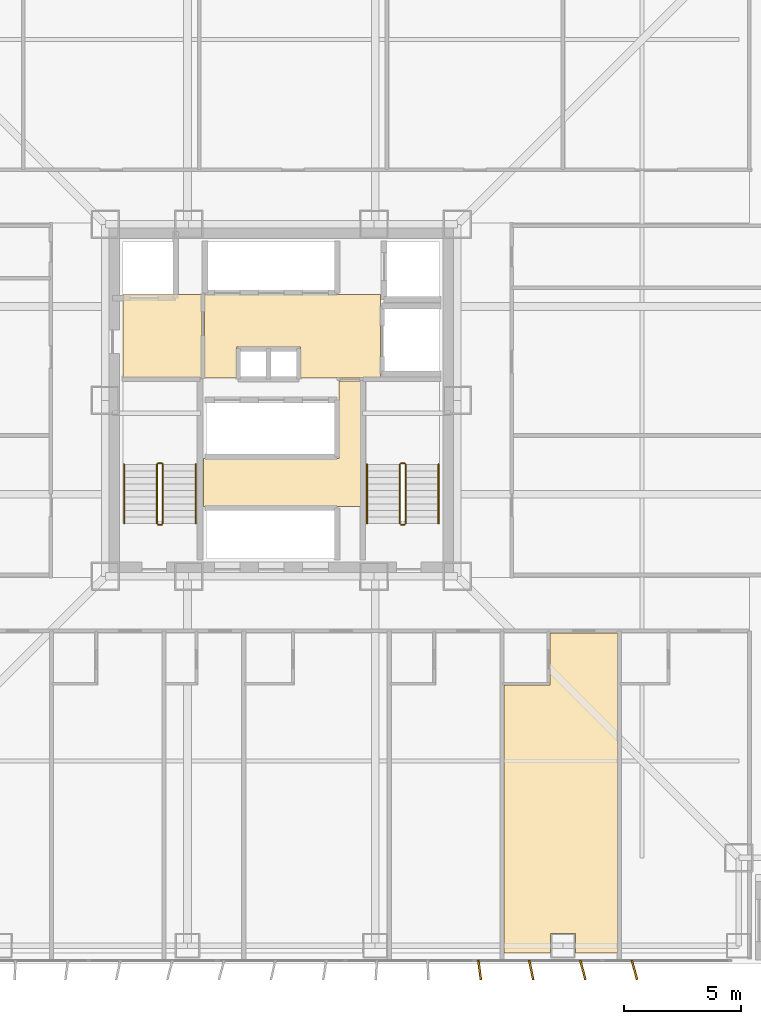
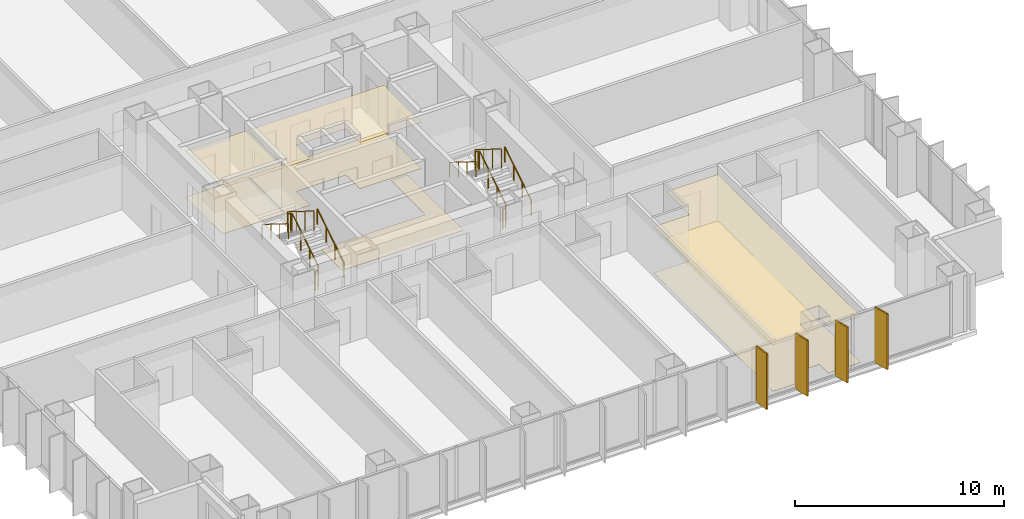
# One storey, part 18 of 19: 12 railings, 7 coverings, 4 shading devices.
"""IFC4 building model written with IfcOpenShell, lengths in metres."""

import ifcopenshell
import ifcopenshell.guid

model = None  # the IFC model being written
_history = None  # IfcOwnerHistory: only IFC2X3 demands one
_inside = {}  # id of a spatial element -> (the spatial element, [elements in it])
_under = {}  # id of a project, library or spatial element -> (it, [spatial elements below it])
_declared = {}  # id of a project -> (the project, [libraries it declares])
_typed = {}  # id of a type object -> (the type object, [elements of that type])
_made_of = {}  # id of a material, layer set ... -> (it, [elements and type objects made of it])


def new_model(schema):
    """Start an empty IFC model of exactly this schema.

    Asked for "IFC4X3", IfcOpenShell would pick the latest addendum, in which some entities
    have other attributes; the version numbers below select the first issue.
    IFC2X3 requires an IfcOwnerHistory on every rooted entity: one is made here for all.
    """
    global model, _history
    if schema == "IFC4X3":
        model = ifcopenshell.file(schema_version=(4, 3, 0, 0))
    else:
        model = ifcopenshell.file(schema=schema)
    _inside.clear()
    _under.clear()
    _declared.clear()
    _typed.clear()
    _made_of.clear()
    _history = None
    if model.schema == "IFC2X3":
        org = make("IfcOrganization", Name="unknown")
        user = make(
            "IfcPersonAndOrganization",
            ThePerson=make("IfcPerson", FamilyName="unknown"),
            TheOrganization=org,
        )
        app = make(
            "IfcApplication",
            ApplicationDeveloper=org,
            Version="unknown",
            ApplicationFullName="unknown",
            ApplicationIdentifier="unknown",
        )
        _history = make(
            "IfcOwnerHistory",
            OwningUser=user,
            OwningApplication=app,
            ChangeAction="ADDED",
            CreationDate=0,
        )
    return model


def make(cls, **values):
    """One entity of the class cls with the attributes given. An attribute that is None is left unset."""
    return model.create_entity(
        cls, **{name: value for name, value in values.items() if value is not None}
    )


def rooted(cls, **values):
    """An entity with a GlobalId (a new one), such as an element, a storey or a relation."""
    return make(cls, GlobalId=ifcopenshell.guid.new(), OwnerHistory=_history, **values)


def si_unit(unit_type, name, prefix=None):
    """IfcSIUnit, for example si_unit("LENGTHUNIT", "METRE", prefix="MILLI")."""
    return make("IfcSIUnit", UnitType=unit_type, Prefix=prefix, Name=name)


def assignment(units):
    """IfcUnitAssignment: the units of a project."""
    return None if units is None else make("IfcUnitAssignment", Units=units)


def point(xyz):
    """IfcCartesianPoint."""
    return None if xyz is None else make("IfcCartesianPoint", Coordinates=xyz)


def direction(xyz):
    """IfcDirection."""
    return None if xyz is None else make("IfcDirection", DirectionRatios=xyz)


def frame(location, z_axis=None, x_axis=None):
    """IfcAxis2Placement3D, a coordinate frame: its origin and axes. An axis left out is left unset."""
    return make(
        "IfcAxis2Placement3D",
        Location=point(location),
        Axis=direction(z_axis),
        RefDirection=direction(x_axis),
    )


def frame_2d(location, x_axis=None):
    """IfcAxis2Placement2D, a coordinate frame in the plane: its origin and x axis."""
    return make(
        "IfcAxis2Placement2D", Location=point(location), RefDirection=direction(x_axis)
    )


def origin():
    """The frame at (0, 0, 0) with its axes left unset."""
    return frame((0.0, 0.0, 0.0))


def origin_2d():
    """The frame at (0, 0) in the plane with its x axis left unset."""
    return frame_2d((0.0, 0.0))


def place(relative_to, where):
    """IfcLocalPlacement: puts the frame where relative to a parent placement (None: the world)."""
    return make(
        "IfcLocalPlacement", PlacementRelTo=relative_to, RelativePlacement=where
    )


def context(
    kind, dimensions, precision=None, world=None, true_north=None, identifier=None
):
    """IfcGeometricRepresentationContext, for example the 3D "Model" context."""
    return make(
        "IfcGeometricRepresentationContext",
        ContextIdentifier=identifier,
        ContextType=kind,
        CoordinateSpaceDimension=dimensions,
        Precision=precision,
        WorldCoordinateSystem=world,
        TrueNorth=true_north,
    )


def subcontext(parent, identifier, kind, view, scale=None):
    """IfcGeometricRepresentationSubContext, for example "Body" below "Model"."""
    return make(
        "IfcGeometricRepresentationSubContext",
        ContextIdentifier=identifier,
        ContextType=kind,
        ParentContext=parent,
        TargetScale=scale,
        TargetView=view,
    )


def project(units=None, contexts=None):
    """IfcProject with its units and contexts."""
    return rooted(
        "IfcProject",
        Name="project",
        RepresentationContexts=contexts,
        UnitsInContext=assignment(units),
    )


def spatial(cls, under=None, at=None, **own):
    """A site, building, storey or space (cls), placed at a placement, below another one or the project."""
    s = rooted(cls, ObjectPlacement=at, **own)
    if under is not None:
        _under.setdefault(under.id(), (under, []))[1].append(s)
    return s


def polyline(points):
    """IfcPolyline through the points."""
    return make("IfcPolyline", Points=[point(p) for p in points])


def profile(cls, at=None, kind="AREA", **sizes):
    """A parametric profile (cls). Its sizes go by their IFC names, for example OverallWidth=200.0."""
    return make(cls, ProfileType=kind, Position=at, **sizes)


def rectangle(**sizes):
    """IfcRectangleProfileDef."""
    return profile("IfcRectangleProfileDef", **sizes)


def circle(**sizes):
    """IfcCircleProfileDef."""
    return profile("IfcCircleProfileDef", **sizes)


def outline(outer, holes=None, kind="AREA"):
    """IfcArbitraryClosedProfileDef: a profile drawn as a closed curve; with holes, ...WithVoids."""
    if holes is None:
        return make("IfcArbitraryClosedProfileDef", ProfileType=kind, OuterCurve=outer)
    return make(
        "IfcArbitraryProfileDefWithVoids",
        ProfileType=kind,
        OuterCurve=outer,
        InnerCurves=holes,
    )


def extrude(swept, where, along, depth):
    """IfcExtrudedAreaSolid: the profile swept, set in the frame where, extruded along a direction by depth."""
    return make(
        "IfcExtrudedAreaSolid",
        SweptArea=swept,
        Position=where,
        ExtrudedDirection=direction(along),
        Depth=depth,
    )


def shape(context_of_items, identifier, shape_type, items):
    """IfcShapeRepresentation: the items that make up one representation, for example the "Body"."""
    return make(
        "IfcShapeRepresentation",
        ContextOfItems=context_of_items,
        RepresentationIdentifier=identifier,
        RepresentationType=shape_type,
        Items=items,
    )


def material(Name=None, Category=None):
    """IfcMaterial."""
    return make("IfcMaterial", Name=Name, Category=Category)


def layer(
    of_material, thickness, ventilated=None, Name=None, Category=None, Priority=None
):
    """IfcMaterialLayer: one layer of a wall or slab, of a material (None: an air gap)."""
    return make(
        "IfcMaterialLayer",
        Material=of_material,
        LayerThickness=thickness,
        IsVentilated=ventilated,
        Name=Name,
        Category=Category,
        Priority=Priority,
    )


def layer_set(layers, Name=None):
    """IfcMaterialLayerSet."""
    return make("IfcMaterialLayerSet", MaterialLayers=layers, LayerSetName=Name)


def made_of(thing, what):
    """Note that an element or type object is made of a material, layer set ...; save() writes the relation."""
    if what is not None:
        _made_of.setdefault(what.id(), (what, []))[1].append(thing)
    return thing


def type_object(cls, material=None, **own):
    """A type object (cls), such as IfcWallType, which elements share."""
    return made_of(rooted(cls, **own), material)


def element(
    cls,
    number,
    at=None,
    inside=None,
    cuts=None,
    type_object=None,
    material=None,
    context=None,
    identifier="Body",
    shape_type=None,
    held_by="IfcProductDefinitionShape",
    body=None,
    shapes=None,
    **own,
):
    """One element of the class cls, such as IfcWall. Its Tag is "e" and its number.

    at: its placement. inside: the storey or other place that contains it. cuts: it is an
    opening in that element (IfcRelVoidsElement). A single representation is given by context,
    identifier, shape_type and body (its items); several are given by shapes. held_by: the class
    of the entity that holds the representations. save() writes the other relations.
    """
    e = rooted(cls, Tag="e%d" % number, ObjectPlacement=at, **own)
    if body is not None:
        shapes = [shape(context, identifier, shape_type, body)]
    if shapes is not None:
        e.Representation = make(held_by, Representations=shapes)
    if inside is not None:
        _inside.setdefault(inside.id(), (inside, []))[1].append(e)
    if cuts is not None:
        rooted(
            "IfcRelVoidsElement", RelatingBuildingElement=cuts, RelatedOpeningElement=e
        )
    if type_object is not None:
        _typed.setdefault(type_object.id(), (type_object, []))[1].append(e)
    return made_of(e, material)


def aggregate(whole, parts):
    """IfcRelAggregates: a whole, such as a stair, and the parts it consists of."""
    return rooted("IfcRelAggregates", RelatingObject=whole, RelatedObjects=parts)


def save(model, path):
    """Write the relations noted so far, then the file.

    IfcRelAggregates (storeys below a building ...), IfcRelContainedInSpatialStructure (elements
    in a storey), IfcRelDefinesByType, IfcRelAssociatesMaterial and IfcRelDeclares: one each for
    every whole, place, type object, material and project.
    """
    for whole, parts in _under.values():
        aggregate(whole, parts)
    for where, things in _inside.values():
        rooted(
            "IfcRelContainedInSpatialStructure",
            RelatedElements=things,
            RelatingStructure=where,
        )
    for kind, things in _typed.values():
        rooted("IfcRelDefinesByType", RelatedObjects=things, RelatingType=kind)
    for what, things in _made_of.values():
        rooted("IfcRelAssociatesMaterial", RelatedObjects=things, RelatingMaterial=what)
    for by, libraries in _declared.values():
        rooted("IfcRelDeclares", RelatingContext=by, RelatedDefinitions=libraries)
    model.write(path)


model = new_model("IFC4")

# Units and contexts
model_context = context("Model", 3, precision=1e-05, world=origin(), true_north=direction((0.0, 1.0)))
body_context = subcontext(model_context, "Body", "Model", "MODEL_VIEW")
ifc_project = project(units=[si_unit("LENGTHUNIT", "METRE"), si_unit("AREAUNIT", "SQUARE_METRE"), si_unit("VOLUMEUNIT", "CUBIC_METRE"), si_unit("PLANEANGLEUNIT", "RADIAN"), si_unit("MASSUNIT", "GRAM", prefix="KILO")], contexts=[model_context])

# Site, building, storey
site_placement = place(None, origin())
site = spatial("IfcSite", under=ifc_project, at=site_placement, CompositionType="ELEMENT")
building_placement = place(site_placement, origin())
building = spatial("IfcBuilding", under=site, at=building_placement, Name="Trevonay Congress Spire", CompositionType="ELEMENT")
storey_placement = place(building_placement, frame((0.0, 0.0, 58.5)))
storey = spatial("IfcBuildingStorey", under=building, at=storey_placement, Name="L14", CompositionType="ELEMENT", Elevation=58.5)

# Coverings
ifc_material_1 = material(Name="Acoustic Mineral Fibre Board", Category="gypsum")
ifc_layer_1 = layer(ifc_material_1, 0.02490234375, Name="Acoustic Mineral Fibre Board")
ifc_layer_set_1 = layer_set([ifc_layer_1], Name="Acoustic Mineral Fibre Board")
covering_type_1 = type_object("IfcCoveringType", Name="COV-CEIL-ACOUSTIC", PredefinedType="CEILING", material=ifc_layer_set_1)
covering_1_placement = place(storey_placement, frame((0.0, 0.0, 2.699951171875)))
element("IfcCovering", 1, at=covering_1_placement, inside=storey, type_object=covering_type_1, Name="L14 Firefighting Lift Lobby West acoustic suspended ceiling", PredefinedType="CEILING", context=body_context, shape_type="SweptSolid", body=[
    extrude(outline(polyline([(-6.75, 0.9599609375), (-3.3798828125, 0.9599609375), (-3.3798828125, 4.52001953125), (-6.75, 4.52001953125), (-6.75, 0.9599609375)])), origin(), (0.0, 0.0, 1.0), 0.025146484375),
])
covering_2_placement = place(storey_placement, frame((0.0, 0.0, 2.699951171875)))
element("IfcCovering", 2, at=covering_2_placement, inside=storey, type_object=covering_type_1, Name="L14 Central and High-Rise Passenger Lift Lobby acoustic suspended ceiling", PredefinedType="CEILING", context=body_context, shape_type="SweptSolid", body=[
    extrude(outline(polyline([(-3.280029296875, 0.949951171875), (-1.919921875, 0.949951171875), (-1.919921875, 2.280029296875), (0.820068359375, 2.280029296875), (0.820068359375, 0.949951171875), (4.219970703125, 0.949951171875), (4.219970703125, 4.52001953125), (-3.280029296875, 4.52001953125), (-3.280029296875, 0.949951171875)])), origin(), (0.0, 0.0, 1.0), 0.025146484375),
])
covering_3_placement = place(storey_placement, frame((0.0, 0.0, 2.699951171875)))
element("IfcCovering", 3, at=covering_3_placement, inside=storey, type_object=covering_type_1, Name="L14 Corner Hotel Suite acoustic suspended ceiling", PredefinedType="CEILING", context=body_context, shape_type="SweptSolid", body=[
    extrude(outline(polyline([(9.47998046875, -23.550048828125), (9.47998046875, -12.139892578125), (11.458984375, -12.139892578125), (11.458984375, -9.909912109375), (14.320068359375, -9.909912109375), (14.320068359375, -23.550048828125), (12.534912109375, -23.550048828125), (12.534912109375, -22.715087890625), (11.465087890625, -22.715087890625), (11.465087890625, -23.550048828125), (9.47998046875, -23.550048828125)])), origin(), (0.0, 0.0, 1.0), 0.025146484375),
])
ifc_material_2 = material(Name="Polished Granite Floor Tile", Category="masonry")
ifc_layer_2 = layer(ifc_material_2, 0.02001953125, Name="Polished Granite Floor Tile")
ifc_layer_set_2 = layer_set([ifc_layer_2], Name="Polished Granite Floor Tile")
covering_type_2 = type_object("IfcCoveringType", Name="COV-FLOOR-STONE", PredefinedType="FLOORING", material=ifc_layer_set_2)
covering_4_placement = place(storey_placement, origin())
element("IfcCovering", 4, at=covering_4_placement, inside=storey, type_object=covering_type_2, Name="L14 Firefighting Lift Lobby West floor finish", PredefinedType="FLOORING", context=body_context, shape_type="SweptSolid", body=[
    extrude(outline(polyline([(-6.75, 0.9599609375), (-3.3798828125, 0.9599609375), (-3.3798828125, 4.52001953125), (-6.75, 4.52001953125), (-6.75, 0.9599609375)])), origin(), (0.0, 0.0, 1.0), 0.02001953125),
])
covering_5_placement = place(storey_placement, origin())
element("IfcCovering", 5, at=covering_5_placement, inside=storey, type_object=covering_type_2, Name="L14 Central and High-Rise Passenger Lift Lobby floor finish", PredefinedType="FLOORING", context=body_context, shape_type="SweptSolid", body=[
    extrude(outline(polyline([(-3.280029296875, 0.949951171875), (-1.919921875, 0.949951171875), (-1.919921875, 2.280029296875), (0.820068359375, 2.280029296875), (0.820068359375, 0.949951171875), (4.219970703125, 0.949951171875), (4.219970703125, 4.52001953125), (-3.280029296875, 4.52001953125), (-3.280029296875, 0.949951171875)])), origin(), (0.0, 0.0, 1.0), 0.02001953125),
])
covering_6_placement = place(storey_placement, origin())
element("IfcCovering", 6, at=covering_6_placement, inside=storey, type_object=covering_type_2, Name="L14 Core MEP Metering Room floor finish", PredefinedType="FLOORING", context=body_context, shape_type="SweptSolid", body=[
    extrude(outline(polyline([(-3.320068359375, -4.52001953125), (3.3798828125, -4.52001953125), (3.3798828125, 0.820068359375), (2.4599609375, 0.820068359375), (2.4599609375, -2.47998046875), (-3.320068359375, -2.47998046875), (-3.320068359375, -4.52001953125)])), origin(), (0.0, 0.0, 1.0), 0.02001953125),
])
ifc_material_3 = material(Name="Engineered Oak Flooring", Category="wood")
ifc_layer_3 = layer(ifc_material_3, 0.01806640625, Name="Engineered Oak Flooring")
ifc_layer_set_3 = layer_set([ifc_layer_3], Name="Engineered Oak Flooring")
covering_type_3 = type_object("IfcCoveringType", Name="COV-FLOOR-TIMBER", PredefinedType="FLOORING", material=ifc_layer_set_3)
covering_7_placement = place(storey_placement, origin())
element("IfcCovering", 7, at=covering_7_placement, inside=storey, type_object=covering_type_3, Name="L14 Corner Hotel Suite floor finish", PredefinedType="FLOORING", context=body_context, shape_type="SweptSolid", body=[
    extrude(outline(polyline([(9.47998046875, -23.550048828125), (9.47998046875, -12.139892578125), (11.458984375, -12.139892578125), (11.458984375, -9.909912109375), (14.320068359375, -9.909912109375), (14.320068359375, -23.550048828125), (12.534912109375, -23.550048828125), (12.534912109375, -22.715087890625), (11.465087890625, -22.715087890625), (11.465087890625, -23.550048828125), (9.47998046875, -23.550048828125)])), origin(), (0.0, 0.0, 1.0), 0.01806640625),
])

# Railings
ifc_material_4 = material(Name="Pale Anodised Aluminium EN AW-6063-T6", Category="aluminium")
railing_type_1 = type_object("IfcRailingType", Name="RAL-STAIR-GUARD-110", PredefinedType="GUARDRAIL", material=ifc_material_4)
railing_1_placement = place(storey_placement, frame((-5.050048828125, -5.25, 0.175048828125)))
element("IfcRailing", 8, at=railing_1_placement, inside=storey, type_object=railing_type_1, Name="L14 ST-1 stair guard 1", PredefinedType="GUARDRAIL", context=body_context, shape_type="SweptSolid", body=[
    extrude(circle(Radius=0.02392578125, at=origin_2d()), frame((0.0, 0.0, 1.1259765625), z_axis=(0.0, 0.848007534815, 0.529984170421), x_axis=(-1.0, 0.0, 0.0)), (0.0, 0.0, 1.0), 2.9716796875),
    extrude(circle(Radius=0.02099609375, at=origin_2d()), origin(), (0.0, 0.0, 1.0), 1.101806640625),
    extrude(circle(Radius=0.02099609375, at=origin_2d()), frame((0.0, 0.840087890625, 0.52490234375)), (0.0, 0.0, 1.0), 1.101806640625),
    extrude(circle(Radius=0.02099609375, at=origin_2d()), frame((0.0, 1.679931640625, 1.050048828125)), (0.0, 0.0, 1.0), 1.101806640625),
    extrude(circle(Radius=0.02099609375, at=origin_2d()), frame((0.0, 2.52001953125, 1.574951171875)), (0.0, 0.0, 1.0), 1.101806640625),
])
railing_2_placement = place(storey_placement, frame((-5.10009765625, -2.679931640625, 1.75)))
element("IfcRailing", 9, at=railing_2_placement, inside=storey, type_object=railing_type_1, Name="L14 ST-1 stair guard 2", PredefinedType="GUARDRAIL", context=body_context, shape_type="SweptSolid", body=[
    extrude(circle(Radius=0.02392578125, at=origin_2d()), frame((0.0, 0.0, 1.1259765625), z_axis=(-1.0, 0.0, 0.0), x_axis=(0.0, -1.0, 0.0)), (0.0, 0.0, 1.0), 0.14990234375),
    extrude(circle(Radius=0.02099609375, at=origin_2d()), origin(), (0.0, 0.0, 1.0), 1.101806640625),
    extrude(circle(Radius=0.02099609375, at=origin_2d()), frame((-0.14990234375, 0.0, 0.0)), (0.0, 0.0, 1.0), 1.101806640625),
])
railing_3_placement = place(storey_placement, frame((-5.300048828125, -2.72998046875, 1.925048828125)))
element("IfcRailing", 10, at=railing_3_placement, inside=storey, type_object=railing_type_1, Name="L14 ST-1 stair guard 3", PredefinedType="GUARDRAIL", context=body_context, shape_type="SweptSolid", body=[
    extrude(circle(Radius=0.02392578125, at=origin_2d()), frame((0.0, 0.0, 1.1259765625), z_axis=(0.0, -0.848007534815, 0.529984170421), x_axis=(1.0, 0.0, 0.0)), (0.0, 0.0, 1.0), 2.9716796875),
    extrude(circle(Radius=0.02099609375, at=origin_2d()), origin(), (0.0, 0.0, 1.0), 1.101806640625),
    extrude(circle(Radius=0.02099609375, at=origin_2d()), frame((0.0, -0.840087890625, 0.52490234375)), (0.0, 0.0, 1.0), 1.101806640625),
    extrude(circle(Radius=0.02099609375, at=origin_2d()), frame((0.0, -1.679931640625, 1.050048828125)), (0.0, 0.0, 1.0), 1.101806640625),
    extrude(circle(Radius=0.02099609375, at=origin_2d()), frame((0.0, -2.52001953125, 1.574951171875)), (0.0, 0.0, 1.0), 1.101806640625),
])
railing_4_placement = place(storey_placement, frame((-5.10009765625, -5.300048828125, 0.0)))
element("IfcRailing", 11, at=railing_4_placement, inside=storey, type_object=railing_type_1, Name="L14 ST-1 stair guard 4", PredefinedType="GUARDRAIL", context=body_context, shape_type="SweptSolid", body=[
    extrude(circle(Radius=0.02392578125, at=origin_2d()), frame((0.0, 0.0, 1.1259765625), z_axis=(-1.0, 0.0, 0.0), x_axis=(0.0, -1.0, 0.0)), (0.0, 0.0, 1.0), 0.14990234375),
    extrude(circle(Radius=0.02099609375, at=origin_2d()), origin(), (0.0, 0.0, 1.0), 1.101806640625),
    extrude(circle(Radius=0.02099609375, at=origin_2d()), frame((-0.14990234375, 0.0, 0.0)), (0.0, 0.0, 1.0), 1.101806640625),
])
railing_5_placement = place(storey_placement, frame((5.300048828125, -5.25, 0.175048828125)))
element("IfcRailing", 12, at=railing_5_placement, inside=storey, type_object=railing_type_1, Name="L14 ST-2 stair guard 1", PredefinedType="GUARDRAIL", context=body_context, shape_type="SweptSolid", body=[
    extrude(circle(Radius=0.02392578125, at=origin_2d()), frame((0.0, 0.0, 1.1259765625), z_axis=(0.0, 0.848007534815, 0.529984170421), x_axis=(-1.0, 0.0, 0.0)), (0.0, 0.0, 1.0), 2.9716796875),
    extrude(circle(Radius=0.02099609375, at=origin_2d()), origin(), (0.0, 0.0, 1.0), 1.101806640625),
    extrude(circle(Radius=0.02099609375, at=origin_2d()), frame((0.0, 0.840087890625, 0.52490234375)), (0.0, 0.0, 1.0), 1.101806640625),
    extrude(circle(Radius=0.02099609375, at=origin_2d()), frame((0.0, 1.679931640625, 1.050048828125)), (0.0, 0.0, 1.0), 1.101806640625),
    extrude(circle(Radius=0.02099609375, at=origin_2d()), frame((0.0, 2.52001953125, 1.574951171875)), (0.0, 0.0, 1.0), 1.101806640625),
])
railing_6_placement = place(storey_placement, frame((5.25, -2.679931640625, 1.75)))
element("IfcRailing", 13, at=railing_6_placement, inside=storey, type_object=railing_type_1, Name="L14 ST-2 stair guard 2", PredefinedType="GUARDRAIL", context=body_context, shape_type="SweptSolid", body=[
    extrude(circle(Radius=0.02392578125, at=origin_2d()), frame((0.0, 0.0, 1.1259765625), z_axis=(-1.0, 0.0, 0.0), x_axis=(0.0, -1.0, 0.0)), (0.0, 0.0, 1.0), 0.14990234375),
    extrude(circle(Radius=0.02099609375, at=origin_2d()), origin(), (0.0, 0.0, 1.0), 1.101806640625),
    extrude(circle(Radius=0.02099609375, at=origin_2d()), frame((-0.14990234375, 0.0, 0.0)), (0.0, 0.0, 1.0), 1.101806640625),
])
railing_7_placement = place(storey_placement, frame((5.050048828125, -2.72998046875, 1.925048828125)))
element("IfcRailing", 14, at=railing_7_placement, inside=storey, type_object=railing_type_1, Name="L14 ST-2 stair guard 3", PredefinedType="GUARDRAIL", context=body_context, shape_type="SweptSolid", body=[
    extrude(circle(Radius=0.02392578125, at=origin_2d()), frame((0.0, 0.0, 1.1259765625), z_axis=(0.0, -0.848007534815, 0.529984170421), x_axis=(1.0, 0.0, 0.0)), (0.0, 0.0, 1.0), 2.9716796875),
    extrude(circle(Radius=0.02099609375, at=origin_2d()), origin(), (0.0, 0.0, 1.0), 1.101806640625),
    extrude(circle(Radius=0.02099609375, at=origin_2d()), frame((0.0, -0.840087890625, 0.52490234375)), (0.0, 0.0, 1.0), 1.101806640625),
    extrude(circle(Radius=0.02099609375, at=origin_2d()), frame((0.0, -1.679931640625, 1.050048828125)), (0.0, 0.0, 1.0), 1.101806640625),
    extrude(circle(Radius=0.02099609375, at=origin_2d()), frame((0.0, -2.52001953125, 1.574951171875)), (0.0, 0.0, 1.0), 1.101806640625),
])
railing_8_placement = place(storey_placement, frame((5.25, -5.300048828125, 0.0)))
element("IfcRailing", 15, at=railing_8_placement, inside=storey, type_object=railing_type_1, Name="L14 ST-2 stair guard 4", PredefinedType="GUARDRAIL", context=body_context, shape_type="SweptSolid", body=[
    extrude(circle(Radius=0.02392578125, at=origin_2d()), frame((0.0, 0.0, 1.1259765625), z_axis=(-1.0, 0.0, 0.0), x_axis=(0.0, -1.0, 0.0)), (0.0, 0.0, 1.0), 0.14990234375),
    extrude(circle(Radius=0.02099609375, at=origin_2d()), origin(), (0.0, 0.0, 1.0), 1.101806640625),
    extrude(circle(Radius=0.02099609375, at=origin_2d()), frame((-0.14990234375, 0.0, 0.0)), (0.0, 0.0, 1.0), 1.101806640625),
])
railing_type_2 = type_object("IfcRailingType", Name="RAL-STAIR-HANDRAIL", PredefinedType="HANDRAIL", material=ifc_material_4)
railing_9_placement = place(storey_placement, frame((-3.64990234375, -5.25, 0.175048828125)))
element("IfcRailing", 16, at=railing_9_placement, inside=storey, type_object=railing_type_2, Name="L14 ST-1 stair handrail 1", PredefinedType="HANDRAIL", context=body_context, shape_type="SweptSolid", body=[
    extrude(circle(Radius=0.02392578125, at=origin_2d()), frame((0.0, 0.0, 0.8759765625), z_axis=(0.0, 0.848007534815, 0.529984170421), x_axis=(-1.0, 0.0, 0.0)), (0.0, 0.0, 1.0), 2.9716796875),
    extrude(circle(Radius=0.02099609375, at=origin_2d()), origin(), (0.0, 0.0, 1.0), 0.851806640625),
    extrude(circle(Radius=0.02099609375, at=origin_2d()), frame((0.0, 0.840087890625, 0.52490234375)), (0.0, 0.0, 1.0), 0.851806640625),
    extrude(circle(Radius=0.02099609375, at=origin_2d()), frame((0.0, 1.679931640625, 1.050048828125)), (0.0, 0.0, 1.0), 0.851806640625),
    extrude(circle(Radius=0.02099609375, at=origin_2d()), frame((0.0, 2.52001953125, 1.574951171875)), (0.0, 0.0, 1.0), 0.851806640625),
])
railing_10_placement = place(storey_placement, frame((-6.699951171875, -2.72998046875, 1.925048828125)))
element("IfcRailing", 17, at=railing_10_placement, inside=storey, type_object=railing_type_2, Name="L14 ST-1 stair handrail 2", PredefinedType="HANDRAIL", context=body_context, shape_type="SweptSolid", body=[
    extrude(circle(Radius=0.02392578125, at=origin_2d()), frame((0.0, 0.0, 0.8759765625), z_axis=(0.0, -0.848007534815, 0.529984170421), x_axis=(1.0, 0.0, 0.0)), (0.0, 0.0, 1.0), 2.9716796875),
    extrude(circle(Radius=0.02099609375, at=origin_2d()), origin(), (0.0, 0.0, 1.0), 0.851806640625),
    extrude(circle(Radius=0.02099609375, at=origin_2d()), frame((0.0, -0.840087890625, 0.52490234375)), (0.0, 0.0, 1.0), 0.851806640625),
    extrude(circle(Radius=0.02099609375, at=origin_2d()), frame((0.0, -1.679931640625, 1.050048828125)), (0.0, 0.0, 1.0), 0.851806640625),
    extrude(circle(Radius=0.02099609375, at=origin_2d()), frame((0.0, -2.52001953125, 1.574951171875)), (0.0, 0.0, 1.0), 0.851806640625),
])
railing_11_placement = place(storey_placement, frame((6.699951171875, -5.25, 0.175048828125)))
element("IfcRailing", 18, at=railing_11_placement, inside=storey, type_object=railing_type_2, Name="L14 ST-2 stair handrail 1", PredefinedType="HANDRAIL", context=body_context, shape_type="SweptSolid", body=[
    extrude(circle(Radius=0.02392578125, at=origin_2d()), frame((0.0, 0.0, 0.8759765625), z_axis=(0.0, 0.848007534815, 0.529984170421), x_axis=(-1.0, 0.0, 0.0)), (0.0, 0.0, 1.0), 2.9716796875),
    extrude(circle(Radius=0.02099609375, at=origin_2d()), origin(), (0.0, 0.0, 1.0), 0.851806640625),
    extrude(circle(Radius=0.02099609375, at=origin_2d()), frame((0.0, 0.840087890625, 0.52490234375)), (0.0, 0.0, 1.0), 0.851806640625),
    extrude(circle(Radius=0.02099609375, at=origin_2d()), frame((0.0, 1.679931640625, 1.050048828125)), (0.0, 0.0, 1.0), 0.851806640625),
    extrude(circle(Radius=0.02099609375, at=origin_2d()), frame((0.0, 2.52001953125, 1.574951171875)), (0.0, 0.0, 1.0), 0.851806640625),
])
railing_12_placement = place(storey_placement, frame((3.64990234375, -2.72998046875, 1.925048828125)))
element("IfcRailing", 19, at=railing_12_placement, inside=storey, type_object=railing_type_2, Name="L14 ST-2 stair handrail 2", PredefinedType="HANDRAIL", context=body_context, shape_type="SweptSolid", body=[
    extrude(circle(Radius=0.02392578125, at=origin_2d()), frame((0.0, 0.0, 0.8759765625), z_axis=(0.0, -0.848007534815, 0.529984170421), x_axis=(1.0, 0.0, 0.0)), (0.0, 0.0, 1.0), 2.9716796875),
    extrude(circle(Radius=0.02099609375, at=origin_2d()), origin(), (0.0, 0.0, 1.0), 0.851806640625),
    extrude(circle(Radius=0.02099609375, at=origin_2d()), frame((0.0, -0.840087890625, 0.52490234375)), (0.0, 0.0, 1.0), 0.851806640625),
    extrude(circle(Radius=0.02099609375, at=origin_2d()), frame((0.0, -1.679931640625, 1.050048828125)), (0.0, 0.0, 1.0), 0.851806640625),
    extrude(circle(Radius=0.02099609375, at=origin_2d()), frame((0.0, -2.52001953125, 1.574951171875)), (0.0, 0.0, 1.0), 0.851806640625),
])

# Shading devices
shading_device_type = type_object("IfcShadingDeviceType", Name="SHD-FIN-Z1-PALE-METAL", PredefinedType="USERDEFINED", material=ifc_material_4)
for number, where, z_axis, x_axis, name in (
    (20, (8.449951171875, -24.280029296875, 0.0), (0.0, 0.0, 1.0), (0.991444861374, 0.13052619222, 0.0), "L14 S vertical pale-metal solar fin 13"),
    (21, (10.64990234375, -24.280029296875, 0.0), (0.0, 0.0, 1.0), (0.978508985102, 0.206204185397, 0.0), "L14 S vertical pale-metal solar fin 14"),
    (22, (12.85009765625, -24.280029296875, 0.0), (0.0, 0.0, 1.0), (0.968191325187, 0.250211026602, 0.0), "L14 S vertical pale-metal solar fin 15"),
    (23, (15.050048828125, -24.280029296875, 0.0), (0.0, 0.0, 1.0), (0.966510581262, 0.256626764599, 0.0), "L14 S vertical pale-metal solar fin 16"),
):
    element("IfcShadingDevice", number, at=place(storey_placement, frame(where, z_axis=z_axis, x_axis=x_axis)), inside=storey, type_object=shading_device_type, Name=name, ObjectType="SOLAR FIN", PredefinedType="USERDEFINED", context=body_context, shape_type="SweptSolid", body=[
        extrude(rectangle(XDim=0.080078125, YDim=0.85009765625, at=origin_2d()), origin(), (0.0, 0.0, 1.0), 3.25),
    ])

save(model, "model.ifc")
